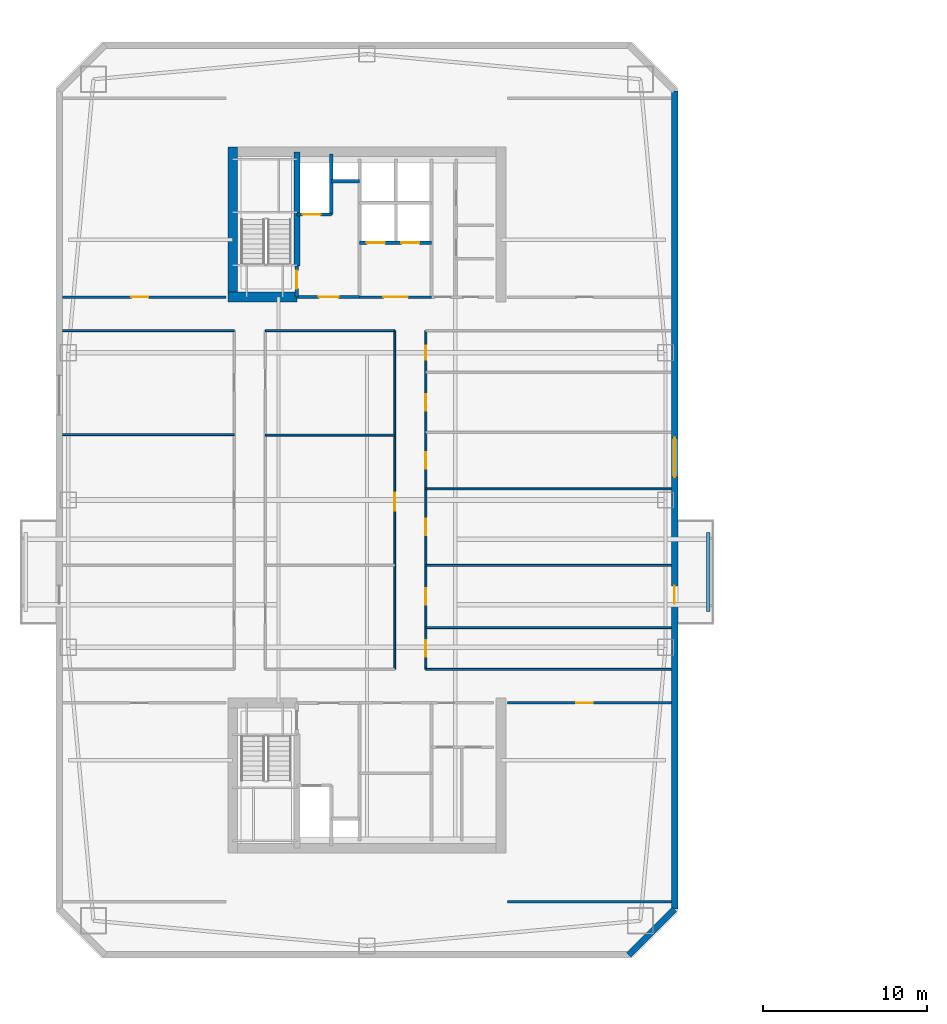
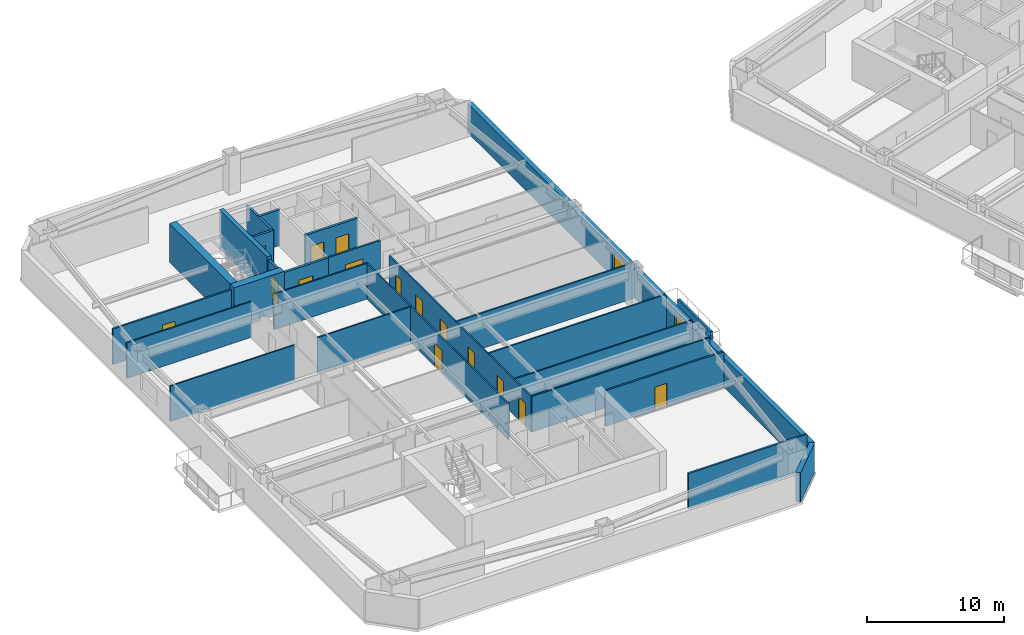
# One storey, part 5 of 14: 26 walls, 16 doors, 1 window, 17 openings.
"""IFC4 building model written with IfcOpenShell, lengths in metres."""

from ifc_helpers import new_model, si_unit, direction, frame, frame_2d, origin, place, context, subcontext, project, spatial, rectangle, extrude, material, layer, layer_set, type_object, element, fill, save


model = new_model("IFC4")

# Units and contexts
model_context = context("Model", 3, precision=1e-05, world=origin(), true_north=direction((0.0, 1.0)))
body_context = subcontext(model_context, "Body", "Model", "MODEL_VIEW")
ifc_project = project(units=[si_unit("LENGTHUNIT", "METRE"), si_unit("AREAUNIT", "SQUARE_METRE"), si_unit("VOLUMEUNIT", "CUBIC_METRE"), si_unit("PLANEANGLEUNIT", "RADIAN"), si_unit("MASSUNIT", "GRAM", prefix="KILO")], contexts=[model_context])

# Site, building, storey
site_placement = place(None, origin())
site = spatial("IfcSite", under=ifc_project, at=site_placement, CompositionType="ELEMENT")
building_placement = place(site_placement, origin())
building = spatial("IfcBuilding", under=site, at=building_placement, Name="Qiaolan Cultural Towers", CompositionType="ELEMENT")
storey_placement = place(building_placement, frame((0.0, 0.0, 124.199951171875)))
storey = spatial("IfcBuildingStorey", under=building, at=storey_placement, Name="L32", CompositionType="ELEMENT", Elevation=124.199951171875)

# Walls
ifc_material_1 = material(Name="Concrete C50", Category="concrete")
ifc_layer_1 = layer(ifc_material_1, 0.35009765625)
ifc_layer_set_1 = layer_set([ifc_layer_1], Name="Concrete C50")
wall_type_1 = type_object("IfcWallType", Name="WL-CORE-350", PredefinedType="SHEAR", material=ifc_layer_set_1)
wall_1_placement = place(storey_placement, frame((25.719970703125, 48.300048828125, 0.0), z_axis=(0.0, 0.0, 1.0), x_axis=(0.0, 1.0, 0.0)))
element("IfcWall", 1, at=wall_1_placement, inside=storey, type_object=wall_type_1, Name="L32 T1-CN Stair Core Dividing Web", PredefinedType="SHEAR", context=body_context, shape_type="SweptSolid", body=[
    extrude(rectangle(XDim=6.97998046875, YDim=0.35009765625, at=frame_2d((3.489990234375, 0.0))), origin(), (0.0, 0.0, 1.0), 3.449951171875),
])
ifc_material_2 = material(Name="Concrete C55", Category="concrete")
ifc_layer_2 = layer(ifc_material_2, 0.60009765625)
ifc_layer_set_2 = layer_set([ifc_layer_2], Name="Concrete C55")
wall_type_2 = type_object("IfcWallType", Name="WL-CORE-600", PredefinedType="SHEAR", material=ifc_layer_set_2)
wall_2_placement = place(storey_placement, frame((21.800048828125, 46.10009765625, 0.0), z_axis=(0.0, 0.0, 1.0), x_axis=(0.0, 1.0, 0.0)))
element("IfcWall", 2, at=wall_2_placement, inside=storey, type_object=wall_type_2, Name="L32 T1-CN West Core Shear Wall", PredefinedType="SHEAR", context=body_context, shape_type="SweptSolid", body=[
    extrude(rectangle(XDim=9.47998046875, YDim=0.60009765625, at=frame_2d((4.739990234375, 0.0))), origin(), (0.0, 0.0, 1.0), 3.449951171875),
])
wall_3_placement = place(storey_placement, frame((21.5, 46.39990234375, 0.0), z_axis=(0.0, 0.0, 1.0), x_axis=(1.0, 0.0, 0.0)))
element("IfcWall", 3, at=wall_3_placement, inside=storey, type_object=wall_type_2, Name="L32 T1-CN Stair Front Shear Wall", PredefinedType="SHEAR", context=body_context, shape_type="SweptSolid", body=[
    extrude(rectangle(XDim=4.219970703125, YDim=0.60009765625, at=frame_2d((2.10986328125, 0.0))), origin(), (0.0, 0.0, 1.0), 3.449951171875),
])

# Wall, openings, door, window
ifc_material_3 = material(Name="Precast Concrete C50 Honed Stone Pier", Category="masonry")
ifc_layer_3 = layer(ifc_material_3, 0.39990234375)
ifc_layer_set_3 = layer_set([ifc_layer_3], Name="Precast Concrete C50 Honed Stone Pier")
wall_type_3 = type_object("IfcWallType", Name="WL-EXT-PIER-400", PredefinedType="SOLIDWALL", material=ifc_layer_set_3)
wall_4_placement = place(storey_placement, frame((48.800048828125, 59.0, 0.0), z_axis=(0.0, 0.0, 1.0), x_axis=(0.0, -1.0, 0.0)))
wall_4 = element("IfcWall", 4, at=wall_4_placement, inside=storey, type_object=wall_type_3, Name="L32 West Tower Precast Pier Facade Wall F5", PredefinedType="SOLIDWALL", context=body_context, shape_type="SweptSolid", body=[
    extrude(rectangle(XDim=50.0, YDim=0.39990234375, at=frame_2d((25.0, 0.0))), origin(), (0.0, 0.0, 1.0), 2.610107421875),
])
opening_1_placement = place(wall_4_placement, frame((21.199951171875, 0.0, 0.75)))
opening_1 = element("IfcOpeningElement", 5, at=opening_1_placement, cuts=wall_4, Name="Opening W-02", PredefinedType="OPENING", context=body_context, shape_type="SweptSolid", body=[
    extrude(rectangle(XDim=2.39990234375, YDim=1.4599609375, at=frame_2d((1.199951171875, 0.72998046875))), frame((0.0, 0.2099609375, 0.0), z_axis=(0.0, -1.0, 0.0), x_axis=(1.0, 0.0, 0.0)), (0.0, 0.0, 1.0), 0.419921875),
])
opening_2_placement = place(wall_4_placement, frame((30.25, 0.0, 0.0)))
opening_2 = element("IfcOpeningElement", 6, at=opening_2_placement, cuts=wall_4, Name="Opening BD-01", PredefinedType="OPENING", context=body_context, shape_type="SweptSolid", body=[
    extrude(rectangle(XDim=1.10009765625, YDim=2.14990234375, at=frame_2d((0.550048828125, 1.074951171875))), frame((0.0, 0.2099609375, 0.0), z_axis=(0.0, -1.0, 0.0), x_axis=(1.0, 0.0, 0.0)), (0.0, 0.0, 1.0), 0.419921875),
])
ifc_material_4 = material(Name="Thermally Broken Aluminium Glazed Terrace Door", Category="aluminium")
door_type_1 = type_object("IfcDoorType", Name="DR-BAL-1100", OperationType="NOTDEFINED", PredefinedType="DOOR", material=ifc_material_4)
door_1_placement = place(opening_2_placement, origin())
door_1 = element("IfcDoor", 7, at=door_1_placement, inside=storey, type_object=door_type_1, Name="L32 T1 East Tree Balcony Door", OperationType="SINGLE_SWING_RIGHT", OverallHeight=2.14990234375, OverallWidth=1.10009765625, PredefinedType="DOOR", context=body_context, shape_type="SweptSolid", body=[
    extrude(rectangle(XDim=1.10009765625, YDim=2.14990234375, at=frame_2d((0.550048828125, 1.074951171875))), frame((0.0, 0.02490234375, 0.0), z_axis=(0.0, -1.0, 0.0), x_axis=(1.0, 0.0, 0.0)), (0.0, 0.0, 1.0), 0.050048828125),
])
fill(opening_2, door_1)
ifc_material_5 = material(Name="Thermally Broken Aluminium Triple Low-E Glazing", Category="aluminium")
window_type = type_object("IfcWindowType", Name="WN-CHIC-2400", PartitioningType="SINGLE_PANEL", PredefinedType="WINDOW", material=ifc_material_5)
window_placement = place(opening_1_placement, origin())
window = element("IfcWindow", 8, at=window_placement, inside=storey, type_object=window_type, Name="L32 T1 E Chicago Bay Window 1", OverallHeight=1.4599609375, OverallWidth=2.39990234375, PartitioningType="TRIPLE_PANEL_VERTICAL", PredefinedType="WINDOW", context=body_context, shape_type="SweptSolid", body=[
    extrude(rectangle(XDim=2.39990234375, YDim=1.4599609375, at=frame_2d((1.199951171875, 0.72998046875))), frame((0.0, 0.030029296875, 0.0), z_axis=(0.0, -1.0, 0.0), x_axis=(1.0, 0.0, 0.0)), (0.0, 0.0, 1.0), 0.06005859375),
])
fill(opening_1, window)

# Wall
wall_5_placement = place(storey_placement, frame((48.800048828125, 9.0, 0.0), z_axis=(0.0, 0.0, 1.0), x_axis=(-0.707106781187, -0.707106781187, 0.0)))
element("IfcWall", 9, at=wall_5_placement, inside=storey, type_object=wall_type_3, Name="L32 West Tower Precast Pier Facade Wall F6", PredefinedType="SOLIDWALL", context=body_context, shape_type="SweptSolid", body=[
    extrude(rectangle(XDim=3.9599609375, YDim=0.39990234375, at=frame_2d((1.97998046875, 0.0))), origin(), (0.0, 0.0, 1.0), 2.610107421875),
])

# Wall, opening, door
ifc_material_6 = material(Name="Concrete C35 Fire Wall", Category="concrete")
ifc_layer_4 = layer(ifc_material_6, 0.199951171875)
ifc_layer_set_4 = layer_set([ifc_layer_4], Name="Concrete C35 Fire Wall")
wall_type_4 = type_object("IfcWallType", Name="WL-FIRE-200", PredefinedType="PARTITIONING", material=ifc_layer_set_4)
wall_6_placement = place(storey_placement, frame((25.719970703125, 46.39990234375, 0.0), z_axis=(0.0, 0.0, 1.0), x_axis=(0.0, 1.0, 0.0)))
wall_6 = element("IfcWall", 10, at=wall_6_placement, inside=storey, type_object=wall_type_4, Name="L32 T1-CN Smokeproof Stair Entry Wall", PredefinedType="PARTITIONING", context=body_context, shape_type="SweptSolid", body=[
    extrude(rectangle(XDim=1.900146484375, YDim=0.199951171875, at=frame_2d((0.9501953125, 0.0))), origin(), (0.0, 0.0, 1.0), 3.175048828125),
])
opening_3_placement = place(wall_6_placement, frame((0.52001953125, 0.0, 0.0)))
opening_3 = element("IfcOpeningElement", 11, at=opening_3_placement, cuts=wall_6, Name="Opening FD-04", PredefinedType="OPENING", context=body_context, shape_type="SweptSolid", body=[
    extrude(rectangle(XDim=1.10009765625, YDim=2.050048828125, at=frame_2d((0.550048828125, 1.02490234375))), frame((0.0, 0.10986328125, 0.0), z_axis=(0.0, -1.0, 0.0), x_axis=(1.0, 0.0, 0.0)), (0.0, 0.0, 1.0), 0.219970703125),
])
ifc_material_7 = material(Name="Galvanized Steel Command Fire Door", Category="steel")
door_type_2 = type_object("IfcDoorType", Name="DR-FD90-1100", OperationType="NOTDEFINED", PredefinedType="DOOR", material=ifc_material_7)
door_2_placement = place(opening_3_placement, origin())
door_2 = element("IfcDoor", 12, at=door_2_placement, inside=storey, type_object=door_type_2, Name="L32 ST-W2 Smokeproof Stair Fire Door", OperationType="SINGLE_SWING_LEFT", OverallHeight=2.050048828125, OverallWidth=1.10009765625, PredefinedType="DOOR", context=body_context, shape_type="SweptSolid", body=[
    extrude(rectangle(XDim=1.10009765625, YDim=2.050048828125, at=frame_2d((0.550048828125, 1.02490234375))), frame((0.0, 0.02490234375, 0.0), z_axis=(0.0, -1.0, 0.0), x_axis=(1.0, 0.0, 0.0)), (0.0, 0.0, 1.0), 0.050048828125),
])
fill(opening_3, door_2)

wall_7_placement = place(storey_placement, frame((25.719970703125, 46.39990234375, 0.0), z_axis=(0.0, 0.0, 1.0), x_axis=(1.0, 0.0, 0.0)))
wall_7 = element("IfcWall", 13, at=wall_7_placement, inside=storey, type_object=wall_type_4, Name="L32 T1-CN Firefighting Lobby Front Wall", PredefinedType="PARTITIONING", context=body_context, shape_type="SweptSolid", body=[
    extrude(rectangle(XDim=3.830078125, YDim=0.199951171875, at=frame_2d((1.9150390625, 0.0))), origin(), (0.0, 0.0, 1.0), 3.175048828125),
])
opening_4_placement = place(wall_7_placement, frame((1.35009765625, 0.0, 0.0)))
opening_4 = element("IfcOpeningElement", 14, at=opening_4_placement, cuts=wall_7, Name="Opening FD-03", PredefinedType="OPENING", context=body_context, shape_type="SweptSolid", body=[
    extrude(rectangle(XDim=1.199951171875, YDim=2.050048828125, at=frame_2d((0.60009765625, 1.02490234375))), frame((0.0, 0.10986328125, 0.0), z_axis=(0.0, -1.0, 0.0), x_axis=(1.0, 0.0, 0.0)), (0.0, 0.0, 1.0), 0.219970703125),
])
ifc_material_8 = material(Name="Galvanized Steel Smokeproof Lobby Fire Door", Category="steel")
door_type_3 = type_object("IfcDoorType", Name="DR-FD90-1200", OperationType="NOTDEFINED", PredefinedType="DOOR", material=ifc_material_8)
door_3_placement = place(opening_4_placement, origin())
door_3 = element("IfcDoor", 15, at=door_3_placement, inside=storey, type_object=door_type_3, Name="L32 FFL-W2 Firefighting Lobby Fire Door", OperationType="SINGLE_SWING_LEFT", OverallHeight=2.050048828125, OverallWidth=1.199951171875, PredefinedType="DOOR", context=body_context, shape_type="SweptSolid", body=[
    extrude(rectangle(XDim=1.199951171875, YDim=2.050048828125, at=frame_2d((0.60009765625, 1.02490234375))), frame((0.0, 0.02490234375, 0.0), z_axis=(0.0, -1.0, 0.0), x_axis=(1.0, 0.0, 0.0)), (0.0, 0.0, 1.0), 0.050048828125),
])
fill(opening_4, door_3)

wall_8_placement = place(storey_placement, frame((25.719970703125, 51.449951171875, 0.0), z_axis=(0.0, 0.0, 1.0), x_axis=(1.0, 0.0, 0.0)))
wall_8 = element("IfcWall", 16, at=wall_8_placement, inside=storey, type_object=wall_type_4, Name="L32 T1-CN Firefighting Shaft Front Wall", PredefinedType="PARTITIONING", context=body_context, shape_type="SweptSolid", body=[
    extrude(rectangle(XDim=2.10009765625, YDim=0.199951171875, at=frame_2d((1.050048828125, 0.0))), origin(), (0.0, 0.0, 1.0), 3.175048828125),
])
opening_5_placement = place(wall_8_placement, frame((0.35009765625, 0.0, 0.0)))
opening_5 = element("IfcOpeningElement", 17, at=opening_5_placement, cuts=wall_8, Name="Opening LD-01", PredefinedType="OPENING", context=body_context, shape_type="SweptSolid", body=[
    extrude(rectangle(XDim=1.10009765625, YDim=2.050048828125, at=frame_2d((0.550048828125, 1.02490234375))), frame((0.0, 0.10986328125, 0.0), z_axis=(0.0, -1.0, 0.0), x_axis=(1.0, 0.0, 0.0)), (0.0, 0.0, 1.0), 0.219970703125),
])
ifc_material_9 = material(Name="Brushed Stainless Steel S30408 Centre-Parting Lift Landing Door", Category="steel")
door_type_4 = type_object("IfcDoorType", Name="DR-LIFT-1100", OperationType="NOTDEFINED", PredefinedType="DOOR", material=ifc_material_9)
door_4_placement = place(opening_5_placement, origin())
door_4 = element("IfcDoor", 18, at=door_4_placement, inside=storey, type_object=door_type_4, Name="L32 FFL-W2 Firefighting Lift Landing Door", OperationType="DOUBLE_DOOR_SLIDING", OverallHeight=2.050048828125, OverallWidth=1.10009765625, PredefinedType="DOOR", context=body_context, shape_type="SweptSolid", body=[
    extrude(rectangle(XDim=1.10009765625, YDim=2.050048828125, at=frame_2d((0.550048828125, 1.02490234375))), frame((0.0, 0.02490234375, 0.0), z_axis=(0.0, -1.0, 0.0), x_axis=(1.0, 0.0, 0.0)), (0.0, 0.0, 1.0), 0.050048828125),
])
fill(opening_5, door_4)

# Walls
wall_9_placement = place(storey_placement, frame((27.820068359375, 51.449951171875, 0.0), z_axis=(0.0, 0.0, 1.0), x_axis=(0.0, 1.0, 0.0)))
element("IfcWall", 19, at=wall_9_placement, inside=storey, type_object=wall_type_4, Name="L32 T1-CN Firefighting Hoistway East Wall", PredefinedType="PARTITIONING", context=body_context, shape_type="SweptSolid", body=[
    extrude(rectangle(XDim=3.699951171875, YDim=0.199951171875, at=frame_2d((1.85009765625, 0.0))), origin(), (0.0, 0.0, 1.0), 3.175048828125),
])
wall_10_placement = place(storey_placement, frame((27.820068359375, 53.47998046875, 0.0), z_axis=(0.0, 0.0, 1.0), x_axis=(1.0, 0.0, 0.0)))
element("IfcWall", 20, at=wall_10_placement, inside=storey, type_object=wall_type_4, Name="L32 T1-CN Pressurization Shaft Front Wall", PredefinedType="PARTITIONING", context=body_context, shape_type="SweptSolid", body=[
    extrude(rectangle(XDim=1.72998046875, YDim=0.199951171875, at=frame_2d((0.864990234375, 0.0))), origin(), (0.0, 0.0, 1.0), 3.175048828125),
])

# Wall, openings, doors
wall_11_placement = place(storey_placement, frame((29.550048828125, 49.719970703125, 0.0), z_axis=(0.0, 0.0, 1.0), x_axis=(1.0, 0.0, 0.0)))
wall_11 = element("IfcWall", 21, at=wall_11_placement, inside=storey, type_object=wall_type_4, Name="L32 T1-CN Passenger Lift Shaft Front Wall", PredefinedType="PARTITIONING", context=body_context, shape_type="SweptSolid", body=[
    extrude(rectangle(XDim=4.39990234375, YDim=0.199951171875, at=frame_2d((2.199951171875, 0.0))), origin(), (0.0, 0.0, 1.0), 3.175048828125),
])
opening_6_placement = place(wall_11_placement, frame((0.449951171875, 0.0, 0.0)))
opening_6 = element("IfcOpeningElement", 22, at=opening_6_placement, cuts=wall_11, Name="Opening LD-01", PredefinedType="OPENING", context=body_context, shape_type="SweptSolid", body=[
    extrude(rectangle(XDim=1.10009765625, YDim=2.050048828125, at=frame_2d((0.550048828125, 1.02490234375))), frame((0.0, 0.10986328125, 0.0), z_axis=(0.0, -1.0, 0.0), x_axis=(1.0, 0.0, 0.0)), (0.0, 0.0, 1.0), 0.219970703125),
])
opening_7_placement = place(wall_11_placement, frame((2.550048828125, 0.0, 0.0)))
opening_7 = element("IfcOpeningElement", 23, at=opening_7_placement, cuts=wall_11, Name="Opening LD-01", PredefinedType="OPENING", context=body_context, shape_type="SweptSolid", body=[
    extrude(rectangle(XDim=1.10009765625, YDim=2.050048828125, at=frame_2d((0.550048828125, 1.02490234375))), frame((0.0, 0.10986328125, 0.0), z_axis=(0.0, -1.0, 0.0), x_axis=(1.0, 0.0, 0.0)), (0.0, 0.0, 1.0), 0.219970703125),
])
door_5_placement = place(opening_6_placement, origin())
door_5 = element("IfcDoor", 24, at=door_5_placement, inside=storey, type_object=door_type_4, Name="L32 Passenger Lift 1 Landing Door", OperationType="DOUBLE_DOOR_SLIDING", OverallHeight=2.050048828125, OverallWidth=1.10009765625, PredefinedType="DOOR", context=body_context, shape_type="SweptSolid", body=[
    extrude(rectangle(XDim=1.10009765625, YDim=2.050048828125, at=frame_2d((0.550048828125, 1.02490234375))), frame((0.0, 0.02490234375, 0.0), z_axis=(0.0, -1.0, 0.0), x_axis=(1.0, 0.0, 0.0)), (0.0, 0.0, 1.0), 0.050048828125),
])
fill(opening_6, door_5)
door_6_placement = place(opening_7_placement, origin())
door_6 = element("IfcDoor", 25, at=door_6_placement, inside=storey, type_object=door_type_4, Name="L32 Passenger Lift 2 Landing Door", OperationType="DOUBLE_DOOR_SLIDING", OverallHeight=2.050048828125, OverallWidth=1.10009765625, PredefinedType="DOOR", context=body_context, shape_type="SweptSolid", body=[
    extrude(rectangle(XDim=1.10009765625, YDim=2.050048828125, at=frame_2d((0.550048828125, 1.02490234375))), frame((0.0, 0.02490234375, 0.0), z_axis=(0.0, -1.0, 0.0), x_axis=(1.0, 0.0, 0.0)), (0.0, 0.0, 1.0), 0.050048828125),
])
fill(opening_7, door_6)

# Walls
ifc_material_10 = material(Name="Gypsum Stud Acoustic Partition", Category="gypsum")
ifc_layer_5 = layer(ifc_material_10, 0.1201171875)
ifc_layer_set_5 = layer_set([ifc_layer_5], Name="Gypsum Stud Acoustic Partition")
wall_type_5 = type_object("IfcWallType", Name="WL-PART-120", PredefinedType="PARTITIONING", material=ifc_layer_set_5)
wall_12_placement = place(storey_placement, frame((33.60009765625, 23.64990234375, 0.0), z_axis=(0.0, 0.0, 1.0), x_axis=(1.0, 0.0, 0.0)))
element("IfcWall", 26, at=wall_12_placement, inside=storey, type_object=wall_type_5, Name="L32 T1 Interior Wall", PredefinedType="PARTITIONING", context=body_context, shape_type="SweptSolid", body=[
    extrude(rectangle(XDim=15.0, YDim=0.1201171875, at=frame_2d((7.5, 0.0))), origin(), (0.0, 0.0, 1.0), 3.175048828125),
])
wall_13_placement = place(storey_placement, frame((11.39990234375, 44.35009765625, 0.0), z_axis=(0.0, 0.0, 1.0), x_axis=(1.0, 0.0, 0.0)))
element("IfcWall", 27, at=wall_13_placement, inside=storey, type_object=wall_type_5, Name="L32 T1 Interior Wall", PredefinedType="PARTITIONING", context=body_context, shape_type="SweptSolid", body=[
    extrude(rectangle(XDim=10.5, YDim=0.1201171875, at=frame_2d((5.25, 0.0))), origin(), (0.0, 0.0, 1.0), 3.175048828125),
])
wall_14_placement = place(storey_placement, frame((23.800048828125, 44.35009765625, 0.0), z_axis=(0.0, 0.0, 1.0), x_axis=(1.0, 0.0, 0.0)))
element("IfcWall", 28, at=wall_14_placement, inside=storey, type_object=wall_type_5, Name="L32 T1 Interior Wall", PredefinedType="PARTITIONING", context=body_context, shape_type="SweptSolid", body=[
    extrude(rectangle(XDim=7.89990234375, YDim=0.1201171875, at=frame_2d((3.949951171875, 0.0))), origin(), (0.0, 0.0, 1.0), 3.175048828125),
])

# Wall, opening, door
wall_15_placement = place(storey_placement, frame((31.699951171875, 23.64990234375, 0.0), z_axis=(0.0, 0.0, 1.0), x_axis=(0.0, 1.0, 0.0)))
wall_15 = element("IfcWall", 29, at=wall_15_placement, inside=storey, type_object=wall_type_5, Name="L32 T1 Interior Wall", PredefinedType="PARTITIONING", context=body_context, shape_type="SweptSolid", body=[
    extrude(rectangle(XDim=20.7001953125, YDim=0.1201171875, at=frame_2d((10.35009765625, 0.0))), origin(), (0.0, 0.0, 1.0), 3.175048828125),
])
opening_8_placement = place(wall_15_placement, frame((9.69580078125, 0.0, 0.0)))
opening_8 = element("IfcOpeningElement", 30, at=opening_8_placement, cuts=wall_15, Name="Opening ID-03", PredefinedType="OPENING", context=body_context, shape_type="SweptSolid", body=[
    extrude(rectangle(XDim=1.10009765625, YDim=2.050048828125, at=frame_2d((0.550048828125, 1.02490234375))), frame((0.0, 0.070068359375, 0.0), z_axis=(0.0, -1.0, 0.0), x_axis=(1.0, 0.0, 0.0)), (0.0, 0.0, 1.0), 0.14013671875),
])
ifc_material_11 = material(Name="Oak Veneer Solid-Core Boardroom Door", Category="timber")
door_type_5 = type_object("IfcDoorType", Name="DR-INT-1100", OperationType="NOTDEFINED", PredefinedType="DOOR", material=ifc_material_11)
door_7_placement = place(opening_8_placement, origin())
door_7 = element("IfcDoor", 31, at=door_7_placement, inside=storey, type_object=door_type_5, Name="L32 T1 Central Study Salon Door", OperationType="SINGLE_SWING_LEFT", OverallHeight=2.050048828125, OverallWidth=1.10009765625, PredefinedType="DOOR", context=body_context, shape_type="SweptSolid", body=[
    extrude(rectangle(XDim=1.10009765625, YDim=2.050048828125, at=frame_2d((0.550048828125, 1.02490234375))), frame((0.0, 0.02490234375, 0.0), z_axis=(0.0, -1.0, 0.0), x_axis=(1.0, 0.0, 0.0)), (0.0, 0.0, 1.0), 0.050048828125),
])
fill(opening_8, door_7)

# Wall, openings, doors
wall_16_placement = place(storey_placement, frame((33.60009765625, 23.64990234375, 0.0), z_axis=(0.0, 0.0, 1.0), x_axis=(0.0, 1.0, 0.0)))
wall_16 = element("IfcWall", 32, at=wall_16_placement, inside=storey, type_object=wall_type_5, Name="L32 T1 Interior Wall", PredefinedType="PARTITIONING", context=body_context, shape_type="SweptSolid", body=[
    extrude(rectangle(XDim=20.7001953125, YDim=0.1201171875, at=frame_2d((10.35009765625, 0.0))), origin(), (0.0, 0.0, 1.0), 3.175048828125),
])
opening_9_placement = place(wall_16_placement, frame((0.77490234375, 0.0, 0.0)))
opening_9 = element("IfcOpeningElement", 33, at=opening_9_placement, cuts=wall_16, Name="Opening ID-04", PredefinedType="OPENING", context=body_context, shape_type="SweptSolid", body=[
    extrude(rectangle(XDim=1.0, YDim=2.050048828125, at=frame_2d((0.5, 1.02490234375))), frame((0.0, 0.070068359375, 0.0), z_axis=(0.0, -1.0, 0.0), x_axis=(1.0, 0.0, 0.0)), (0.0, 0.0, 1.0), 0.14013671875),
])
opening_10_placement = place(wall_16_placement, frame((3.949951171875, 0.0, 0.0)))
opening_10 = element("IfcOpeningElement", 34, at=opening_10_placement, cuts=wall_16, Name="Opening ID-04", PredefinedType="OPENING", context=body_context, shape_type="SweptSolid", body=[
    extrude(rectangle(XDim=1.0, YDim=2.050048828125, at=frame_2d((0.5, 1.02490234375))), frame((0.0, 0.070068359375, 0.0), z_axis=(0.0, -1.0, 0.0), x_axis=(1.0, 0.0, 0.0)), (0.0, 0.0, 1.0), 0.14013671875),
])
opening_11_placement = place(wall_16_placement, frame((8.18994140625, 0.0, 0.0)))
opening_11 = element("IfcOpeningElement", 35, at=opening_11_placement, cuts=wall_16, Name="Opening ID-04", PredefinedType="OPENING", context=body_context, shape_type="SweptSolid", body=[
    extrude(rectangle(XDim=1.0, YDim=2.050048828125, at=frame_2d((0.5, 1.02490234375))), frame((0.0, 0.070068359375, 0.0), z_axis=(0.0, -1.0, 0.0), x_axis=(1.0, 0.0, 0.0)), (0.0, 0.0, 1.0), 0.14013671875),
])
opening_12_placement = place(wall_16_placement, frame((12.256591796875, 0.0, 0.0)))
opening_12 = element("IfcOpeningElement", 36, at=opening_12_placement, cuts=wall_16, Name="Opening ID-04", PredefinedType="OPENING", context=body_context, shape_type="SweptSolid", body=[
    extrude(rectangle(XDim=1.0, YDim=2.050048828125, at=frame_2d((0.5, 1.02490234375))), frame((0.0, 0.070068359375, 0.0), z_axis=(0.0, -1.0, 0.0), x_axis=(1.0, 0.0, 0.0)), (0.0, 0.0, 1.0), 0.14013671875),
])
opening_13_placement = place(wall_16_placement, frame((15.81640625, 0.0, 0.0)))
opening_13 = element("IfcOpeningElement", 37, at=opening_13_placement, cuts=wall_16, Name="Opening ID-04", PredefinedType="OPENING", context=body_context, shape_type="SweptSolid", body=[
    extrude(rectangle(XDim=1.0, YDim=2.050048828125, at=frame_2d((0.5, 1.02490234375))), frame((0.0, 0.070068359375, 0.0), z_axis=(0.0, -1.0, 0.0), x_axis=(1.0, 0.0, 0.0)), (0.0, 0.0, 1.0), 0.14013671875),
])
opening_14_placement = place(wall_16_placement, frame((18.925048828125, 0.0, 0.0)))
opening_14 = element("IfcOpeningElement", 38, at=opening_14_placement, cuts=wall_16, Name="Opening ID-09", PredefinedType="OPENING", context=body_context, shape_type="SweptSolid", body=[
    extrude(rectangle(XDim=0.85009765625, YDim=2.050048828125, at=frame_2d((0.425048828125, 1.02490234375))), frame((0.0, 0.070068359375, 0.0), z_axis=(0.0, -1.0, 0.0), x_axis=(1.0, 0.0, 0.0)), (0.0, 0.0, 1.0), 0.14013671875),
])
ifc_material_12 = material(Name="Oak Veneer Acoustic Office Door", Category="timber")
door_type_6 = type_object("IfcDoorType", Name="DR-INT-1000", OperationType="NOTDEFINED", PredefinedType="DOOR", material=ifc_material_12)
door_8_placement = place(opening_9_placement, origin())
door_8 = element("IfcDoor", 39, at=door_8_placement, inside=storey, type_object=door_type_6, Name="L32 T1 Symposium Room Door", OperationType="SINGLE_SWING_RIGHT", OverallHeight=2.050048828125, OverallWidth=1.0, PredefinedType="DOOR", context=body_context, shape_type="SweptSolid", body=[
    extrude(rectangle(XDim=1.0, YDim=2.050048828125, at=frame_2d((0.5, 1.02490234375))), frame((0.0, 0.02490234375, 0.0), z_axis=(0.0, -1.0, 0.0), x_axis=(1.0, 0.0, 0.0)), (0.0, 0.0, 1.0), 0.050048828125),
])
fill(opening_9, door_8)
door_9_placement = place(opening_10_placement, origin())
door_9 = element("IfcDoor", 40, at=door_9_placement, inside=storey, type_object=door_type_6, Name="L32 T1 Symposium Room Door", OperationType="SINGLE_SWING_LEFT", OverallHeight=2.050048828125, OverallWidth=1.0, PredefinedType="DOOR", context=body_context, shape_type="SweptSolid", body=[
    extrude(rectangle(XDim=1.0, YDim=2.050048828125, at=frame_2d((0.5, 1.02490234375))), frame((0.0, 0.02490234375, 0.0), z_axis=(0.0, -1.0, 0.0), x_axis=(1.0, 0.0, 0.0)), (0.0, 0.0, 1.0), 0.050048828125),
])
fill(opening_10, door_9)
door_10_placement = place(opening_11_placement, origin())
door_10 = element("IfcDoor", 41, at=door_10_placement, inside=storey, type_object=door_type_6, Name="L32 T1 Symposium Room Door", OperationType="SINGLE_SWING_RIGHT", OverallHeight=2.050048828125, OverallWidth=1.0, PredefinedType="DOOR", context=body_context, shape_type="SweptSolid", body=[
    extrude(rectangle(XDim=1.0, YDim=2.050048828125, at=frame_2d((0.5, 1.02490234375))), frame((0.0, 0.02490234375, 0.0), z_axis=(0.0, -1.0, 0.0), x_axis=(1.0, 0.0, 0.0)), (0.0, 0.0, 1.0), 0.050048828125),
])
fill(opening_11, door_10)
door_11_placement = place(opening_12_placement, origin())
door_11 = element("IfcDoor", 42, at=door_11_placement, inside=storey, type_object=door_type_6, Name="L32 T1 Symposium Room Door", OperationType="SINGLE_SWING_LEFT", OverallHeight=2.050048828125, OverallWidth=1.0, PredefinedType="DOOR", context=body_context, shape_type="SweptSolid", body=[
    extrude(rectangle(XDim=1.0, YDim=2.050048828125, at=frame_2d((0.5, 1.02490234375))), frame((0.0, 0.02490234375, 0.0), z_axis=(0.0, -1.0, 0.0), x_axis=(1.0, 0.0, 0.0)), (0.0, 0.0, 1.0), 0.050048828125),
])
fill(opening_12, door_11)
door_12_placement = place(opening_13_placement, origin())
door_12 = element("IfcDoor", 43, at=door_12_placement, inside=storey, type_object=door_type_6, Name="L32 T1 Nursing & Wellness Room Door", OperationType="SINGLE_SWING_RIGHT", OverallHeight=2.050048828125, OverallWidth=1.0, PredefinedType="DOOR", context=body_context, shape_type="SweptSolid", body=[
    extrude(rectangle(XDim=1.0, YDim=2.050048828125, at=frame_2d((0.5, 1.02490234375))), frame((0.0, 0.02490234375, 0.0), z_axis=(0.0, -1.0, 0.0), x_axis=(1.0, 0.0, 0.0)), (0.0, 0.0, 1.0), 0.050048828125),
])
fill(opening_13, door_12)
ifc_material_13 = material(Name="Moisture-Resistant Laminate Utility Door", Category="timber")
door_type_7 = type_object("IfcDoorType", Name="DR-INT-850", OperationType="NOTDEFINED", PredefinedType="DOOR", material=ifc_material_13)
door_13_placement = place(opening_14_placement, origin())
door_13 = element("IfcDoor", 44, at=door_13_placement, inside=storey, type_object=door_type_7, Name="L32 T1 Reading Lounge Door", OperationType="SINGLE_SWING_LEFT", OverallHeight=2.050048828125, OverallWidth=0.85009765625, PredefinedType="DOOR", context=body_context, shape_type="SweptSolid", body=[
    extrude(rectangle(XDim=0.85009765625, YDim=2.050048828125, at=frame_2d((0.425048828125, 1.02490234375))), frame((0.0, 0.02490234375, 0.0), z_axis=(0.0, -1.0, 0.0), x_axis=(1.0, 0.0, 0.0)), (0.0, 0.0, 1.0), 0.050048828125),
])
fill(opening_14, door_13)

# Walls
wall_17_placement = place(storey_placement, frame((23.800048828125, 37.966064453125, 0.0), z_axis=(0.0, 0.0, 1.0), x_axis=(1.0, 0.0, 0.0)))
element("IfcWall", 45, at=wall_17_placement, inside=storey, type_object=wall_type_5, Name="L32 T1 Interior Wall", PredefinedType="PARTITIONING", context=body_context, shape_type="SweptSolid", body=[
    extrude(rectangle(XDim=7.89990234375, YDim=0.1201171875, at=frame_2d((3.949951171875, 0.0))), origin(), (0.0, 0.0, 1.0), 3.175048828125),
])
wall_18_placement = place(storey_placement, frame((11.39990234375, 38.0, 0.0), z_axis=(0.0, 0.0, 1.0), x_axis=(1.0, 0.0, 0.0)))
element("IfcWall", 46, at=wall_18_placement, inside=storey, type_object=wall_type_5, Name="L32 T1 Interior Wall", PredefinedType="PARTITIONING", context=body_context, shape_type="SweptSolid", body=[
    extrude(rectangle(XDim=10.5, YDim=0.1201171875, at=frame_2d((5.25, 0.0))), origin(), (0.0, 0.0, 1.0), 3.175048828125),
])
for number, where, z_axis, x_axis, name in (
    (47, (33.60009765625, 26.199951171875, 0.0), (0.0, 0.0, 1.0), (1.0, 0.0, 0.0), "L32 T1 Interior Wall"),
    (48, (33.60009765625, 30.0, 0.0), (0.0, 0.0, 1.0), (1.0, 0.0, 0.0), "L32 T1 Interior Wall"),
    (49, (33.60009765625, 34.679931640625, 0.0), (0.0, 0.0, 1.0), (1.0, 0.0, 0.0), "L32 T1 Interior Wall"),
):
    element("IfcWall", number, at=place(storey_placement, frame(where, z_axis=z_axis, x_axis=x_axis)), inside=storey, type_object=wall_type_5, Name=name, PredefinedType="PARTITIONING", context=body_context, shape_type="SweptSolid", body=[
        extrude(rectangle(XDim=15.0, YDim=0.1201171875, at=frame_2d((7.5, 0.0))), origin(), (0.0, 0.0, 1.0), 3.175048828125),
    ])

# Wall, opening, door
ifc_material_14 = material(Name="Autoclaved Aerated Concrete Block B06", Category="concrete")
ifc_layer_6 = layer(ifc_material_14, 0.14990234375)
ifc_layer_set_6 = layer_set([ifc_layer_6], Name="Autoclaved Aerated Concrete Block B06")
wall_type_6 = type_object("IfcWallType", Name="WL-PART-150", PredefinedType="PARTITIONING", material=ifc_layer_set_6)
wall_19_placement = place(storey_placement, frame((29.550048828125, 46.39990234375, 0.0), z_axis=(0.0, 0.0, 1.0), x_axis=(1.0, 0.0, 0.0)))
wall_19 = element("IfcWall", 50, at=wall_19_placement, inside=storey, type_object=wall_type_6, Name="L32 T1-CN Passenger Lift Lobby Front Wall", PredefinedType="PARTITIONING", context=body_context, shape_type="SweptSolid", body=[
    extrude(rectangle(XDim=4.39990234375, YDim=0.14990234375, at=frame_2d((2.199951171875, 0.0))), origin(), (0.0, 0.0, 1.0), 3.175048828125),
])
opening_15_placement = place(wall_19_placement, frame((1.449951171875, 0.0, 0.0)))
opening_15 = element("IfcOpeningElement", 51, at=opening_15_placement, cuts=wall_19, Name="Opening FD-05", PredefinedType="OPENING", context=body_context, shape_type="SweptSolid", body=[
    extrude(rectangle(XDim=1.5, YDim=2.050048828125, at=frame_2d((0.75, 1.02490234375))), frame((0.0, 0.0849609375, 0.0), z_axis=(0.0, -1.0, 0.0), x_axis=(1.0, 0.0, 0.0)), (0.0, 0.0, 1.0), 0.169921875),
])
ifc_material_15 = material(Name="Painted Steel Lift Lobby Fire Door", Category="steel")
door_type_8 = type_object("IfcDoorType", Name="DR-FD60-1500", OperationType="NOTDEFINED", PredefinedType="DOOR", material=ifc_material_15)
door_14_placement = place(opening_15_placement, origin())
door_14 = element("IfcDoor", 52, at=door_14_placement, inside=storey, type_object=door_type_8, Name="L32 Passenger Lift Lobby Entrance", OperationType="SINGLE_SWING_LEFT", OverallHeight=2.050048828125, OverallWidth=1.5, PredefinedType="DOOR", context=body_context, shape_type="SweptSolid", body=[
    extrude(rectangle(XDim=1.5, YDim=2.050048828125, at=frame_2d((0.75, 1.02490234375))), frame((0.0, 0.02490234375, 0.0), z_axis=(0.0, -1.0, 0.0), x_axis=(1.0, 0.0, 0.0)), (0.0, 0.0, 1.0), 0.050048828125),
])
fill(opening_15, door_14)

# Wall
wall_20_placement = place(storey_placement, frame((38.60009765625, 9.449951171875, 0.0), z_axis=(0.0, 0.0, 1.0), x_axis=(1.0, 0.0, 0.0)))
element("IfcWall", 53, at=wall_20_placement, inside=storey, type_object=wall_type_6, Name="L32 T1 Flank Wall FLK-SE", PredefinedType="PARTITIONING", context=body_context, shape_type="SweptSolid", body=[
    extrude(rectangle(XDim=10.0, YDim=0.14990234375, at=frame_2d((5.0, 0.0))), origin(), (0.0, 0.0, 1.0), 3.175048828125),
])

# Wall, opening, door
wall_21_placement = place(storey_placement, frame((38.60009765625, 21.60009765625, 0.0), z_axis=(0.0, 0.0, 1.0), x_axis=(1.0, 0.0, 0.0)))
wall_21 = element("IfcWall", 54, at=wall_21_placement, inside=storey, type_object=wall_type_6, Name="L32 T1 Flank Front FLK-SE", PredefinedType="PARTITIONING", context=body_context, shape_type="SweptSolid", body=[
    extrude(rectangle(XDim=10.0, YDim=0.14990234375, at=frame_2d((5.0, 0.0))), origin(), (0.0, 0.0, 1.0), 3.175048828125),
])
opening_16_placement = place(wall_21_placement, frame((4.199951171875, 0.0, 0.0)))
opening_16 = element("IfcOpeningElement", 55, at=opening_16_placement, cuts=wall_21, Name="Opening ID-04", PredefinedType="OPENING", context=body_context, shape_type="SweptSolid", body=[
    extrude(rectangle(XDim=1.0, YDim=2.050048828125, at=frame_2d((0.5, 1.02490234375))), frame((0.0, 0.0849609375, 0.0), z_axis=(0.0, -1.0, 0.0), x_axis=(1.0, 0.0, 0.0)), (0.0, 0.0, 1.0), 0.169921875),
])
door_15_placement = place(opening_16_placement, origin())
door_15 = element("IfcDoor", 56, at=door_15_placement, inside=storey, type_object=door_type_6, Name="L32 T1 Corner Studio Door", OperationType="SINGLE_SWING_LEFT", OverallHeight=2.050048828125, OverallWidth=1.0, PredefinedType="DOOR", context=body_context, shape_type="SweptSolid", body=[
    extrude(rectangle(XDim=1.0, YDim=2.050048828125, at=frame_2d((0.5, 1.02490234375))), frame((0.0, 0.02490234375, 0.0), z_axis=(0.0, -1.0, 0.0), x_axis=(1.0, 0.0, 0.0)), (0.0, 0.0, 1.0), 0.050048828125),
])
fill(opening_16, door_15)

wall_22_placement = place(storey_placement, frame((11.39990234375, 46.39990234375, 0.0), z_axis=(0.0, 0.0, 1.0), x_axis=(1.0, 0.0, 0.0)))
wall_22 = element("IfcWall", 57, at=wall_22_placement, inside=storey, type_object=wall_type_6, Name="L32 T1 Flank Front FLK-NW", PredefinedType="PARTITIONING", context=body_context, shape_type="SweptSolid", body=[
    extrude(rectangle(XDim=10.0, YDim=0.14990234375, at=frame_2d((5.0, 0.0))), origin(), (0.0, 0.0, 1.0), 3.175048828125),
])
opening_17_placement = place(wall_22_placement, frame((4.199951171875, 0.0, 0.0)))
opening_17 = element("IfcOpeningElement", 58, at=opening_17_placement, cuts=wall_22, Name="Opening ID-07", PredefinedType="OPENING", context=body_context, shape_type="SweptSolid", body=[
    extrude(rectangle(XDim=1.050048828125, YDim=2.050048828125, at=frame_2d((0.52490234375, 1.02490234375))), frame((0.0, 0.0849609375, 0.0), z_axis=(0.0, -1.0, 0.0), x_axis=(1.0, 0.0, 0.0)), (0.0, 0.0, 1.0), 0.169921875),
])
ifc_material_16 = material(Name="Oak Veneer Consultation Door", Category="timber")
door_type_9 = type_object("IfcDoorType", Name="DR-INT-1050", OperationType="NOTDEFINED", PredefinedType="DOOR", material=ifc_material_16)
door_16_placement = place(opening_17_placement, origin())
door_16 = element("IfcDoor", 59, at=door_16_placement, inside=storey, type_object=door_type_9, Name="L32 T1 Corner Studio Door", OperationType="SINGLE_SWING_LEFT", OverallHeight=2.050048828125, OverallWidth=1.050048828125, PredefinedType="DOOR", context=body_context, shape_type="SweptSolid", body=[
    extrude(rectangle(XDim=1.050048828125, YDim=2.050048828125, at=frame_2d((0.52490234375, 1.02490234375))), frame((0.0, 0.02490234375, 0.0), z_axis=(0.0, -1.0, 0.0), x_axis=(1.0, 0.0, 0.0)), (0.0, 0.0, 1.0), 0.050048828125),
])
fill(opening_17, door_16)

# Wall
ifc_material_17 = material(Name="Precast Concrete C45 Tree Planter Upstand", Category="concrete")
ifc_layer_7 = layer(ifc_material_17, 0.199951171875)
ifc_layer_set_7 = layer_set([ifc_layer_7], Name="Precast Concrete C45 Tree Planter Upstand")
wall_type_7 = type_object("IfcWallType", Name="WL-PLANTER-200", PredefinedType="PARAPET", material=ifc_layer_set_7)
wall_23_placement = place(storey_placement, frame((50.85009765625, 27.199951171875, 0.0), z_axis=(0.0, 0.0, 1.0), x_axis=(0.0, 1.0, 0.0)))
element("IfcWall", 60, at=wall_23_placement, inside=storey, type_object=wall_type_7, Name="L32 T1 Tree Balcony Soil Planter Box E", PredefinedType="PARAPET", context=body_context, shape_type="SweptSolid", body=[
    extrude(rectangle(XDim=4.800048828125, YDim=0.199951171875, at=frame_2d((2.39990234375, 0.0))), origin(), (0.0, 0.0, 1.0), 0.75),
])

save(model, "model.ifc")
